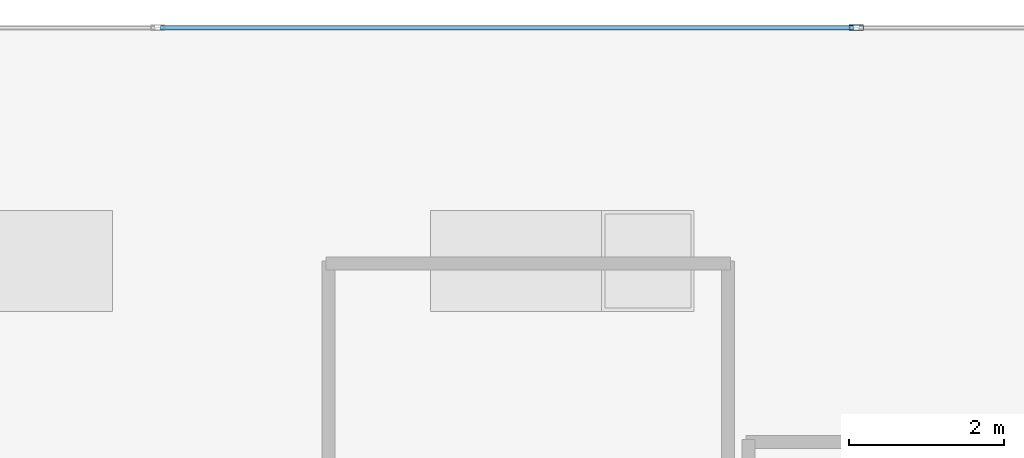
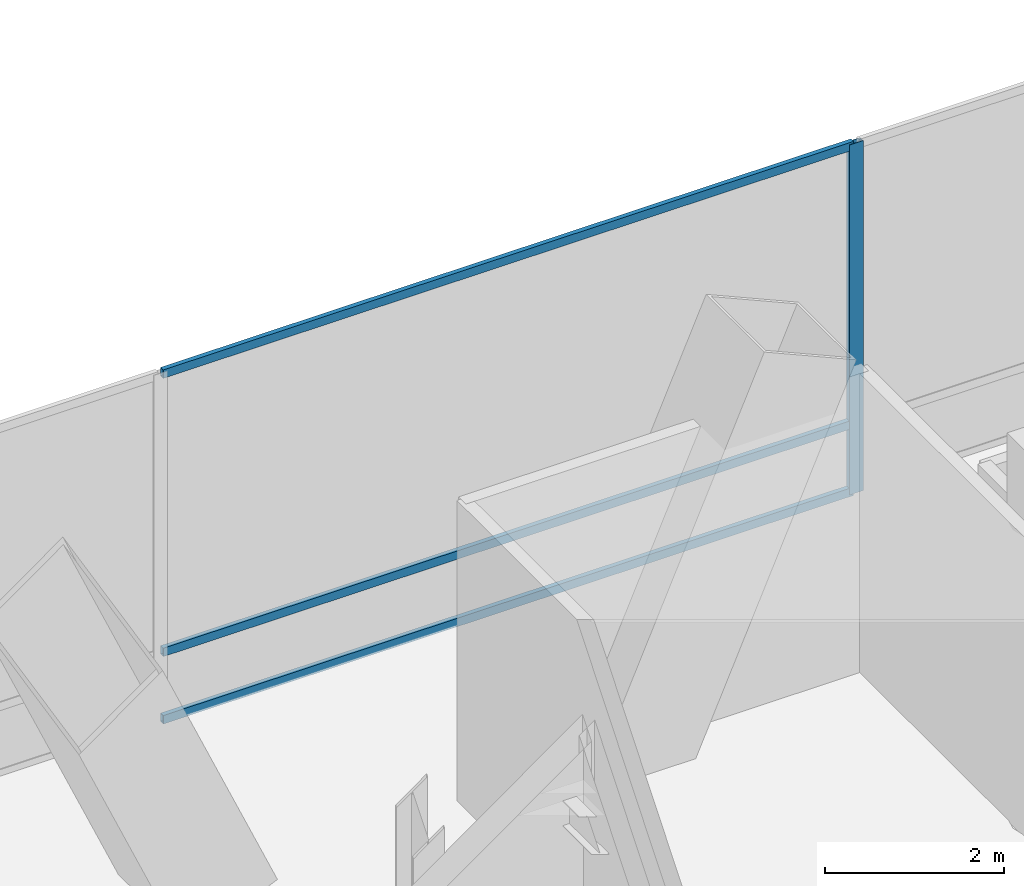
# One storey, part 20 of 42: 4 members, 1 element without a shape of its own.
"""IFC4 building model written with IfcOpenShell, lengths in metres."""

from ifc_helpers import new_model, si_unit, direction, frame, origin, origin_2d, place, context, subcontext, project, spatial, hollow_rectangle, extrude, material, layer, layer_set, material_profile, profile_set, type_object, element, aggregate, save


model = new_model("IFC4")

# Units and contexts
model_context = context("Model", 3, precision=1e-05, world=origin(), true_north=direction((0.0, 1.0)))
body_context = subcontext(model_context, "Body", "Model", "MODEL_VIEW")
ifc_project = project(units=[si_unit("LENGTHUNIT", "METRE"), si_unit("AREAUNIT", "SQUARE_METRE"), si_unit("VOLUMEUNIT", "CUBIC_METRE"), si_unit("PLANEANGLEUNIT", "RADIAN"), si_unit("MASSUNIT", "GRAM", prefix="KILO")], contexts=[model_context])

# Site, building, storey
site_placement = place(None, origin())
site = spatial("IfcSite", under=ifc_project, at=site_placement, CompositionType="ELEMENT")
building_placement = place(site_placement, origin())
building = spatial("IfcBuilding", under=site, at=building_placement, Name="Qianvela Tower", CompositionType="ELEMENT")
storey_placement = place(building_placement, frame((0.0, 0.0, 6.0)))
storey = spatial("IfcBuildingStorey", under=building, at=storey_placement, Name="L01", CompositionType="ELEMENT", Elevation=6.0)

# Curtain wall, members
ifc_material_1 = material(Name="Anodised Architectural Aluminium and Low-E Glass", Category="aluminium")
ifc_layer = layer(ifc_material_1, 0.179931640625)
ifc_layer_set = layer_set([ifc_layer], Name="Anodised Architectural Aluminium and Low-E Glass")
curtain_wall_type = type_object("IfcCurtainWallType", Name="CW-COMMONS", PredefinedType="USERDEFINED", material=ifc_layer_set)
curtain_wall_placement = place(storey_placement, origin())
curtain_wall = element("IfcCurtainWall", 1, at=curtain_wall_placement, inside=storey, type_object=curtain_wall_type, Name="L01 CW-COMMONS Curtain Wall 05", ObjectType="CURTAIN_WALL_SYSTEM", PredefinedType="USERDEFINED")
ifc_material_2 = material(Name="Anodised Architectural Aluminium 6063-T6", Category="aluminium")
ifc_material_profile_1 = material_profile(ifc_material_2, hollow_rectangle(XDim=0.070068359375, YDim=0.179931640625, WallThickness=0.0048828125, at=origin_2d()), Name="ALU-MULL-70x180")
ifc_profile_set_1 = profile_set([ifc_material_profile_1], Name="Anodised Architectural Aluminium 6063-T6")
member_type_1 = type_object("IfcMemberType", Name="CW-COMMONS-MULL", PredefinedType="MULLION", material=ifc_profile_set_1)
member_1_placement = place(storey_placement, frame((24.021484375, 50.5, 0.0), z_axis=(0.0, 0.0, 1.0), x_axis=(0.0, -1.0, 0.0)))
member_1 = element("IfcMember", 2, at=member_1_placement, type_object=member_type_1, Name="CW-2 mullion 6", PredefinedType="MULLION", context=body_context, shape_type="SweptSolid", body=[
    extrude(hollow_rectangle(XDim=0.070068359375, YDim=0.179931640625, WallThickness=0.0048828125, at=origin_2d()), origin(), (0.0, 0.0, 1.0), 4.780029296875),
])
ifc_material_3 = material(Name="Anodised Architectural Aluminium 6063-T6", Category="aluminium")
ifc_material_profile_2 = material_profile(ifc_material_3, hollow_rectangle(XDim=0.06005859375, YDim=0.114990234375, WallThickness=0.00390625, at=origin_2d()), Name="ALU-TRAN-60x115")
ifc_profile_set_2 = profile_set([ifc_material_profile_2], Name="Anodised Architectural Aluminium 6063-T6")
member_type_2 = type_object("IfcMemberType", Name="CW-COMMONS-TRAN", PredefinedType="USERDEFINED", material=ifc_profile_set_2)
member_2_placement = place(storey_placement, frame((23.986328125, 50.5, 0.030029296875), z_axis=(-1.0, 0.0, 0.0), x_axis=(0.0, -1.0, 0.0)))
member_2 = element("IfcMember", 3, at=member_2_placement, type_object=member_type_2, Name="CW-2 transom 6.1", ObjectType="TRANSOM", PredefinedType="USERDEFINED", context=body_context, shape_type="SweptSolid", body=[
    extrude(hollow_rectangle(XDim=0.06005859375, YDim=0.114990234375, WallThickness=0.00390625, at=origin_2d()), origin(), (0.0, 0.0, 1.0), 8.91552734375),
])
member_3_placement = place(storey_placement, frame((23.986328125, 50.5, 0.949951171875), z_axis=(-1.0, 0.0, 0.0), x_axis=(0.0, -1.0, 0.0)))
member_3 = element("IfcMember", 4, at=member_3_placement, type_object=member_type_2, Name="CW-2 transom 6.2", ObjectType="TRANSOM", PredefinedType="USERDEFINED", context=body_context, shape_type="SweptSolid", body=[
    extrude(hollow_rectangle(XDim=0.06005859375, YDim=0.114990234375, WallThickness=0.00390625, at=origin_2d()), origin(), (0.0, 0.0, 1.0), 8.91552734375),
])
member_4_placement = place(storey_placement, frame((23.986328125, 50.5, 4.75), z_axis=(-1.0, 0.0, 0.0), x_axis=(0.0, -1.0, 0.0)))
member_4 = element("IfcMember", 5, at=member_4_placement, type_object=member_type_2, Name="CW-2 transom 6.3", ObjectType="TRANSOM", PredefinedType="USERDEFINED", context=body_context, shape_type="SweptSolid", body=[
    extrude(hollow_rectangle(XDim=0.06005859375, YDim=0.114990234375, WallThickness=0.00390625, at=origin_2d()), origin(), (0.0, 0.0, 1.0), 8.91552734375),
])
aggregate(curtain_wall, [member_1, member_2, member_3, member_4])

save(model, "model.ifc")
